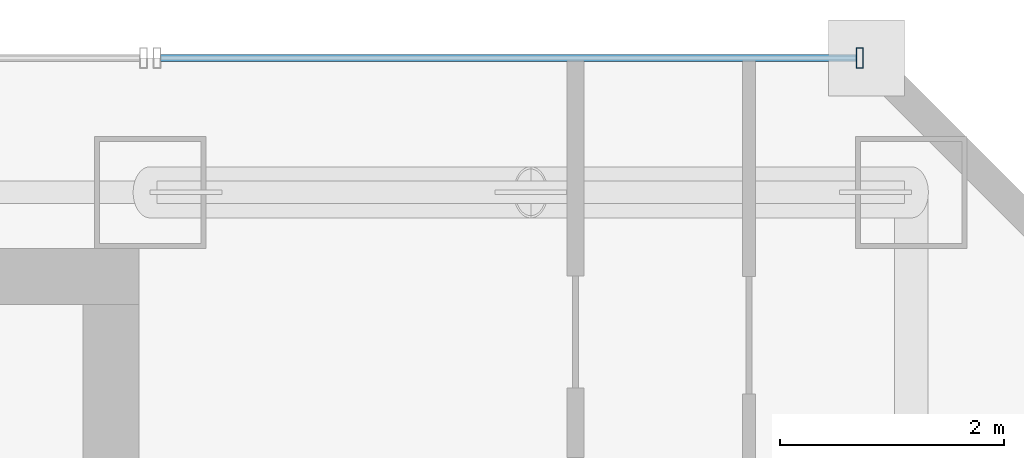
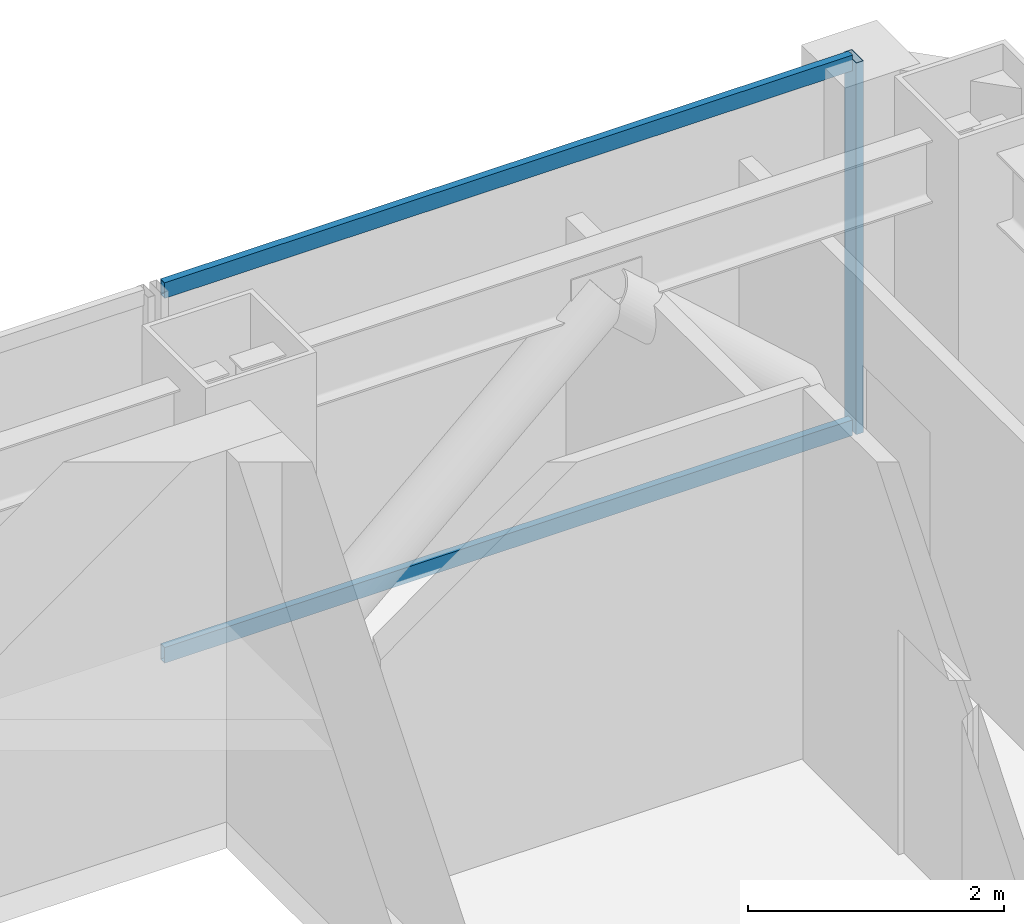
# One storey, part 28 of 36: 3 members, 1 element without a shape of its own.
"""IFC4 building model written with IfcOpenShell, lengths in metres."""

from ifc_helpers import new_model, si_unit, direction, frame, origin, origin_2d, place, context, subcontext, project, spatial, hollow_rectangle, extrude, material, material_profile, profile_set, type_object, element, aggregate, save


model = new_model("IFC4")

# Units and contexts
model_context = context("Model", 3, precision=1e-05, world=origin(), true_north=direction((0.0, 1.0)))
body_context = subcontext(model_context, "Body", "Model", "MODEL_VIEW")
ifc_project = project(units=[si_unit("LENGTHUNIT", "METRE"), si_unit("AREAUNIT", "SQUARE_METRE"), si_unit("VOLUMEUNIT", "CUBIC_METRE"), si_unit("PLANEANGLEUNIT", "RADIAN"), si_unit("MASSUNIT", "GRAM", prefix="KILO")], contexts=[model_context])

# Site, building, storey
site_placement = place(None, origin())
site = spatial("IfcSite", under=ifc_project, at=site_placement, CompositionType="ELEMENT")
building_placement = place(site_placement, origin())
building = spatial("IfcBuilding", under=site, at=building_placement, Name="Saevonmaru Cultural Tower", CompositionType="ELEMENT")
storey_placement = place(building_placement, frame((0.0, 0.0, 148.60009765625)))
storey = spatial("IfcBuildingStorey", under=building, at=storey_placement, Name="L32", CompositionType="ELEMENT", Elevation=148.60009765625)

# Curtain wall, members
ifc_material = material(Name="Satin Bronze Anodised Aluminium", Category="aluminium")
curtain_wall_type = type_object("IfcCurtainWallType", Name="CW-TYP-A", PredefinedType="NOTDEFINED", material=ifc_material)
curtain_wall_placement = place(storey_placement, origin())
curtain_wall = element("IfcCurtainWall", 1, at=curtain_wall_placement, inside=storey, type_object=curtain_wall_type, Name="L32 East Braced Bay Spandrel Curtain Wall E10A", PredefinedType="NOTDEFINED")
ifc_material_profile_1 = material_profile(ifc_material, hollow_rectangle(XDim=0.06494140625, YDim=0.179931640625, WallThickness=0.00390625, at=origin_2d()), Name="ALU-MULL-180x65x4")
ifc_profile_set_1 = profile_set([ifc_material_profile_1], Name="Satin Bronze Anodised Aluminium")
member_type_1 = type_object("IfcMemberType", Name="ML-CW-180x65", PredefinedType="MULLION", material=ifc_profile_set_1)
member_1_placement = place(storey_placement, frame((52.739990234375, 56.0, 0.0), z_axis=(0.0, 0.0, 1.0), x_axis=(-1.0, 0.0, 0.0)))
member_1 = element("IfcMember", 2, at=member_1_placement, type_object=member_type_1, Name="CW-TW-L32-E10A mullion 1", PredefinedType="MULLION", context=body_context, shape_type="SweptSolid", body=[
    extrude(hollow_rectangle(XDim=0.06494140625, YDim=0.179931640625, WallThickness=0.00390625, at=origin_2d()), origin(), (0.0, 0.0, 1.0), 3.5498046875),
])
ifc_material_profile_2 = material_profile(ifc_material, hollow_rectangle(XDim=0.06494140625, YDim=0.14990234375, WallThickness=0.00390625, at=origin_2d()), Name="ALU-TRAN-150x65x4")
ifc_profile_set_2 = profile_set([ifc_material_profile_2], Name="Satin Bronze Anodised Aluminium")
member_type_2 = type_object("IfcMemberType", Name="TR-CW-150x65", PredefinedType="USERDEFINED", material=ifc_profile_set_2)
member_2_placement = place(storey_placement, frame((52.70751953125, 56.0, 0.032470703125), z_axis=(-1.0, 0.0, 0.0), x_axis=(0.0, -1.0, 0.0)))
member_2 = element("IfcMember", 3, at=member_2_placement, type_object=member_type_2, Name="CW-TW-L32-E10A transom 1.1", ObjectType="TRANSOM", PredefinedType="USERDEFINED", context=body_context, shape_type="SweptSolid", body=[
    extrude(hollow_rectangle(XDim=0.06494140625, YDim=0.14990234375, WallThickness=0.00390625, at=origin_2d()), origin(), (0.0, 0.0, 1.0), 6.215087890625),
])
member_3_placement = place(storey_placement, frame((52.70751953125, 56.0, 3.517333984375), z_axis=(-1.0, 0.0, 0.0), x_axis=(0.0, -1.0, 0.0)))
member_3 = element("IfcMember", 4, at=member_3_placement, type_object=member_type_2, Name="CW-TW-L32-E10A transom 1.2", ObjectType="TRANSOM", PredefinedType="USERDEFINED", context=body_context, shape_type="SweptSolid", body=[
    extrude(hollow_rectangle(XDim=0.06494140625, YDim=0.14990234375, WallThickness=0.00390625, at=origin_2d()), origin(), (0.0, 0.0, 1.0), 6.215087890625),
])
aggregate(curtain_wall, [member_1, member_2, member_3])

save(model, "model.ifc")
